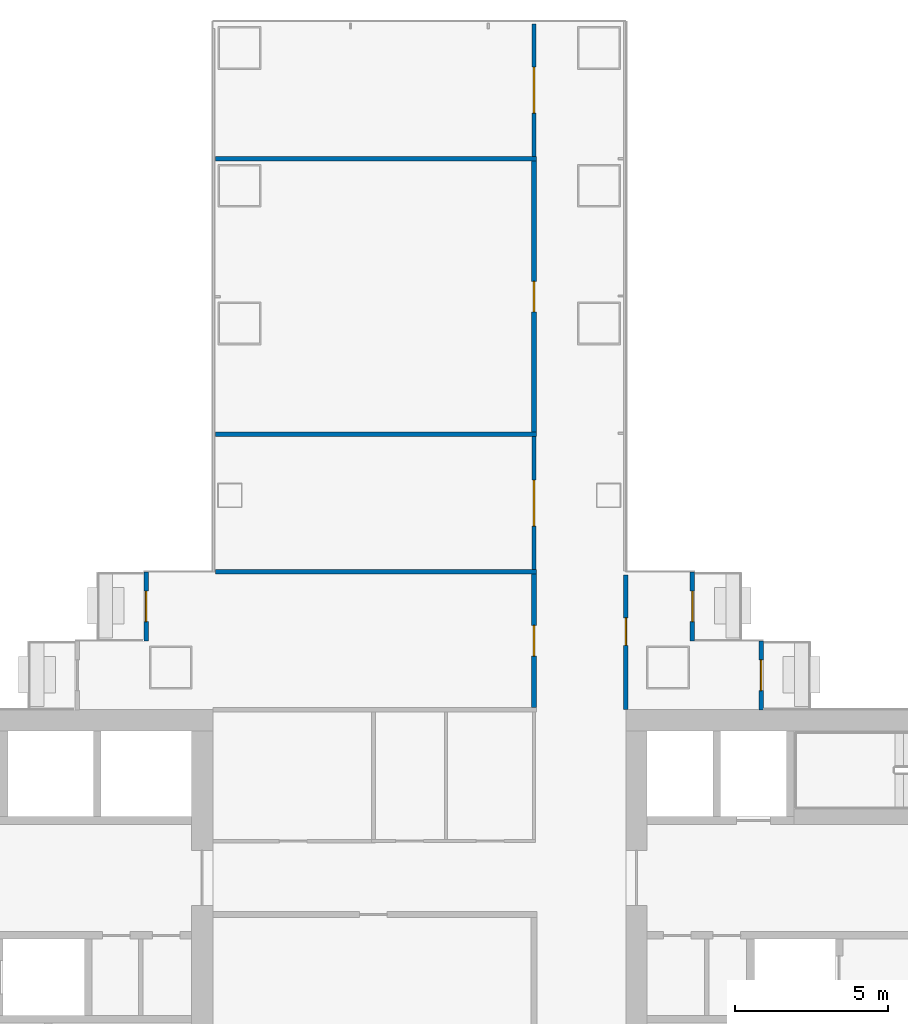
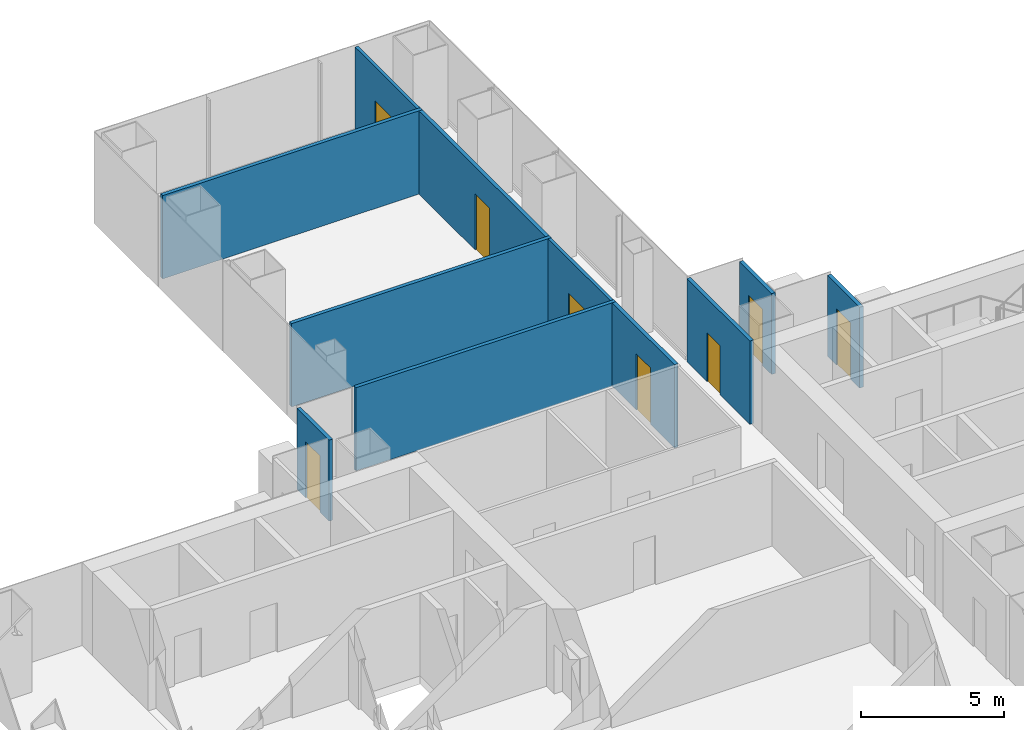
# One storey, part 17 of 21: 11 walls, 8 doors, 8 openings.
"""IFC4 building model written with IfcOpenShell, lengths in metres."""

from ifc_helpers import new_model, si_unit, direction, frame, frame_2d, origin, place, context, subcontext, project, spatial, rectangle, extrude, material, layer, layer_set, type_object, element, fill, save


model = new_model("IFC4")

# Units and contexts
model_context = context("Model", 3, precision=1e-05, world=origin(), true_north=direction((0.0, 1.0)))
body_context = subcontext(model_context, "Body", "Model", "MODEL_VIEW")
ifc_project = project(units=[si_unit("LENGTHUNIT", "METRE"), si_unit("AREAUNIT", "SQUARE_METRE"), si_unit("VOLUMEUNIT", "CUBIC_METRE"), si_unit("PLANEANGLEUNIT", "RADIAN"), si_unit("MASSUNIT", "GRAM", prefix="KILO")], contexts=[model_context])

# Site, building, storey
site_placement = place(None, origin())
site = spatial("IfcSite", under=ifc_project, at=site_placement, CompositionType="ELEMENT")
building_placement = place(site_placement, origin())
building = spatial("IfcBuilding", under=site, at=building_placement, Name="Shamsa Quay Exchange Towers", CompositionType="ELEMENT")
storey_placement = place(building_placement, frame((0.0, 0.0, 49.800048828125)))
storey = spatial("IfcBuildingStorey", under=building, at=storey_placement, Name="L10", CompositionType="ELEMENT", Elevation=49.800048828125)

# Wall, opening, door
ifc_material_1 = material(Name="Aluminium EN AW-6063 T6, black anodised, with black enamelled glass infill", Category="aluminium")
ifc_layer_1 = layer(ifc_material_1, 0.14990234375)
ifc_layer_set_1 = layer_set([ifc_layer_1], Name="BALCONY DOOR BAY WALL 150")
wall_type_1 = type_object("IfcWallType", Name="BALCONY DOOR BAY WALL 150", PredefinedType="SOLIDWALL", material=ifc_layer_set_1)
wall_1_placement = place(storey_placement, frame((24.824951171875, 9.0, 0.0), z_axis=(0.0, 0.0, 1.0), x_axis=(0.0, 1.0, 0.0)))
wall_1 = element("IfcWall", 1, at=wall_1_placement, inside=storey, type_object=wall_type_1, Name="Door bay T2-PKEN L10", PredefinedType="SOLIDWALL", context=body_context, shape_type="SweptSolid", body=[
    extrude(rectangle(XDim=2.25, YDim=0.14990234375, at=frame_2d((1.125, 0.0))), origin(), (0.0, 0.0, 1.0), 3.449951171875),
])
opening_1_placement = place(wall_1_placement, frame((0.625, 0.0, 0.0)))
opening_1 = element("IfcOpeningElement", 2, at=opening_1_placement, cuts=wall_1, Name="Opening XD057", PredefinedType="OPENING", context=body_context, shape_type="SweptSolid", body=[
    extrude(rectangle(XDim=1.0, YDim=2.39990234375, at=frame_2d((0.5, 1.199951171875))), frame((0.0, 0.0849609375, 0.0), z_axis=(0.0, -1.0, 0.0), x_axis=(1.0, 0.0, 0.0)), (0.0, 0.0, 1.0), 0.169921875),
])
ifc_material_2 = material(Name="Aluminium EN AW-6063 T6, black anodised, with laminated glass leaf", Category="aluminium")
door_type_1 = type_object("IfcDoorType", Name="BALCONY DOOR 1000x2400", OperationType="SINGLE_SWING_LEFT", PredefinedType="DOOR", material=ifc_material_2)
door_1_placement = place(opening_1_placement, origin())
door_1 = element("IfcDoor", 3, at=door_1_placement, inside=storey, type_object=door_type_1, Name="Balcony door T2-PKEN L10", OperationType="SINGLE_SWING_RIGHT", OverallHeight=2.39990234375, OverallWidth=1.0, PredefinedType="DOOR", context=body_context, shape_type="SweptSolid", body=[
    extrude(rectangle(XDim=1.0, YDim=2.39990234375, at=frame_2d((0.5, 1.199951171875))), frame((0.0, 0.02490234375, 0.0), z_axis=(0.0, -1.0, 0.0), x_axis=(1.0, 0.0, 0.0)), (0.0, 0.0, 1.0), 0.050048828125),
])
fill(opening_1, door_1)

wall_2_placement = place(storey_placement, frame((42.675048828125, 11.25, 0.0), z_axis=(0.0, 0.0, 1.0), x_axis=(0.0, -1.0, 0.0)))
wall_2 = element("IfcWall", 4, at=wall_2_placement, inside=storey, type_object=wall_type_1, Name="Door bay T2-PKES L10", PredefinedType="SOLIDWALL", context=body_context, shape_type="SweptSolid", body=[
    extrude(rectangle(XDim=2.25, YDim=0.14990234375, at=frame_2d((1.125, 0.0))), origin(), (0.0, 0.0, 1.0), 3.449951171875),
])
opening_2_placement = place(wall_2_placement, frame((0.625, 0.0, 0.0)))
opening_2 = element("IfcOpeningElement", 5, at=opening_2_placement, cuts=wall_2, Name="Opening XD059", PredefinedType="OPENING", context=body_context, shape_type="SweptSolid", body=[
    extrude(rectangle(XDim=1.0, YDim=2.39990234375, at=frame_2d((0.5, 1.199951171875))), frame((0.0, 0.0849609375, 0.0), z_axis=(0.0, -1.0, 0.0), x_axis=(1.0, 0.0, 0.0)), (0.0, 0.0, 1.0), 0.169921875),
])
door_2_placement = place(opening_2_placement, origin())
door_2 = element("IfcDoor", 6, at=door_2_placement, inside=storey, type_object=door_type_1, Name="Balcony door T2-PKES L10", OperationType="SINGLE_SWING_RIGHT", OverallHeight=2.39990234375, OverallWidth=1.0, PredefinedType="DOOR", context=body_context, shape_type="SweptSolid", body=[
    extrude(rectangle(XDim=1.0, YDim=2.39990234375, at=frame_2d((0.5, 1.199951171875))), frame((0.0, 0.02490234375, 0.0), z_axis=(0.0, -1.0, 0.0), x_axis=(1.0, 0.0, 0.0)), (0.0, 0.0, 1.0), 0.050048828125),
])
fill(opening_2, door_2)

wall_3_placement = place(storey_placement, frame((44.925048828125, 9.0, 0.0), z_axis=(0.0, 0.0, 1.0), x_axis=(0.0, -1.0, 0.0)))
wall_3 = element("IfcWall", 7, at=wall_3_placement, inside=storey, type_object=wall_type_1, Name="Door bay T2-PKES L10", PredefinedType="SOLIDWALL", context=body_context, shape_type="SweptSolid", body=[
    extrude(rectangle(XDim=2.257080078125, YDim=0.14990234375, at=frame_2d((1.12841796875, 0.0))), origin(), (0.0, 0.0, 1.0), 3.449951171875),
])
opening_3_placement = place(wall_3_placement, frame((0.625, 0.0, 0.0)))
opening_3 = element("IfcOpeningElement", 8, at=opening_3_placement, cuts=wall_3, Name="Opening XD060", PredefinedType="OPENING", context=body_context, shape_type="SweptSolid", body=[
    extrude(rectangle(XDim=1.0, YDim=2.39990234375, at=frame_2d((0.5, 1.199951171875))), frame((0.0, 0.0849609375, 0.0), z_axis=(0.0, -1.0, 0.0), x_axis=(1.0, 0.0, 0.0)), (0.0, 0.0, 1.0), 0.169921875),
])
door_3_placement = place(opening_3_placement, origin())
door_3 = element("IfcDoor", 9, at=door_3_placement, inside=storey, type_object=door_type_1, Name="Balcony door T2-PKES L10", OperationType="SINGLE_SWING_LEFT", OverallHeight=2.39990234375, OverallWidth=1.0, PredefinedType="DOOR", context=body_context, shape_type="SweptSolid", body=[
    extrude(rectangle(XDim=1.0, YDim=2.39990234375, at=frame_2d((0.5, 1.199951171875))), frame((0.0, 0.02490234375, 0.0), z_axis=(0.0, -1.0, 0.0), x_axis=(1.0, 0.0, 0.0)), (0.0, 0.0, 1.0), 0.050048828125),
])
fill(opening_3, door_3)

ifc_material_3 = material(Name="Laminated fire-resisting glass in a metal frame", Category="glass")
ifc_layer_2 = layer(ifc_material_3, 0.125)
ifc_layer_set_2 = layer_set([ifc_layer_2], Name="Glazed partition 125 mm EI 60")
wall_type_2 = type_object("IfcWallType", Name="Glazed partition 125 mm EI 60", PredefinedType="PARTITIONING", material=ifc_layer_set_2)
wall_4_placement = place(storey_placement, frame((37.5, 24.824951171875, 0.0), z_axis=(0.0, 0.0, 1.0), x_axis=(0.0, 1.0, 0.0)))
wall_4 = element("IfcWall", 10, at=wall_4_placement, inside=storey, type_object=wall_type_2, Name="Partition T2-R04-W05", PredefinedType="PARTITIONING", context=body_context, shape_type="SweptSolid", body=[
    extrude(rectangle(XDim=4.330078125, YDim=0.125, at=frame_2d((2.1650390625, 0.0))), origin(), (0.0, 0.0, 1.0), 3.550048828125),
])
opening_4_placement = place(wall_4_placement, frame((1.425048828125, 0.0, 0.0)))
opening_4 = element("IfcOpeningElement", 11, at=opening_4_placement, cuts=wall_4, Name="Opening T2-R04-D14", PredefinedType="OPENING", context=body_context, shape_type="SweptSolid", body=[
    extrude(rectangle(XDim=1.5, YDim=2.10009765625, at=frame_2d((0.75, 1.050048828125))), frame((0.0, 0.072509765625, 0.0), z_axis=(0.0, -1.0, 0.0), x_axis=(1.0, 0.0, 0.0)), (0.0, 0.0, 1.0), 0.14501953125),
])
ifc_material_4 = material(Name="Timber door leaf in a metal frame", Category="wood")
door_type_2 = type_object("IfcDoorType", Name="Door 1500x2100 FD30S pair", OperationType="NOTDEFINED", PredefinedType="DOOR", material=ifc_material_4)
door_4_placement = place(opening_4_placement, origin())
door_4 = element("IfcDoor", 12, at=door_4_placement, inside=storey, type_object=door_type_2, Name="Door T2-R04-D14", OperationType="DOUBLE_DOOR_SINGLE_SWING", OverallHeight=2.10009765625, OverallWidth=1.5, PredefinedType="DOOR", context=body_context, shape_type="SweptSolid", body=[
    extrude(rectangle(XDim=1.5, YDim=2.10009765625, at=frame_2d((0.75, 1.050048828125))), frame((0.0, 0.02490234375, 0.0), z_axis=(0.0, -1.0, 0.0), x_axis=(1.0, 0.0, 0.0)), (0.0, 0.0, 1.0), 0.050048828125),
])
fill(opening_4, door_4)

wall_5_placement = place(storey_placement, frame((37.5, 11.324951171875, 0.0), z_axis=(0.0, 0.0, 1.0), x_axis=(0.0, 1.0, 0.0)))
wall_5 = element("IfcWall", 13, at=wall_5_placement, inside=storey, type_object=wall_type_2, Name="Partition T2-R04-W06", PredefinedType="PARTITIONING", context=body_context, shape_type="SweptSolid", body=[
    extrude(rectangle(XDim=4.35009765625, YDim=0.125, at=frame_2d((2.175048828125, 0.0))), origin(), (0.0, 0.0, 1.0), 3.550048828125),
])
opening_5_placement = place(wall_5_placement, frame((1.425048828125, 0.0, 0.0)))
opening_5 = element("IfcOpeningElement", 14, at=opening_5_placement, cuts=wall_5, Name="Opening T2-R04-D12", PredefinedType="OPENING", context=body_context, shape_type="SweptSolid", body=[
    extrude(rectangle(XDim=1.5, YDim=2.10009765625, at=frame_2d((0.75, 1.050048828125))), frame((0.0, 0.072509765625, 0.0), z_axis=(0.0, -1.0, 0.0), x_axis=(1.0, 0.0, 0.0)), (0.0, 0.0, 1.0), 0.14501953125),
])
door_5_placement = place(opening_5_placement, origin())
door_5 = element("IfcDoor", 15, at=door_5_placement, inside=storey, type_object=door_type_2, Name="Door T2-R04-D12", OperationType="DOUBLE_DOOR_SINGLE_SWING", OverallHeight=2.10009765625, OverallWidth=1.5, PredefinedType="DOOR", context=body_context, shape_type="SweptSolid", body=[
    extrude(rectangle(XDim=1.5, YDim=2.10009765625, at=frame_2d((0.75, 1.050048828125))), frame((0.0, 0.02490234375, 0.0), z_axis=(0.0, -1.0, 0.0), x_axis=(1.0, 0.0, 0.0)), (0.0, 0.0, 1.0), 0.050048828125),
])
fill(opening_5, door_5)

ifc_material_5 = material(Name="Gypsum board partition on metal studs")
ifc_layer_3 = layer(ifc_material_5, 0.14990234375)
ifc_layer_set_3 = layer_set([ifc_layer_3], Name="Partition 150 mm EI 60")
wall_type_3 = type_object("IfcWallType", Name="Partition 150 mm EI 60", PredefinedType="PARTITIONING", material=ifc_layer_set_3)
wall_6_placement = place(storey_placement, frame((37.5, 15.824951171875, 0.0), z_axis=(0.0, 0.0, 1.0), x_axis=(0.0, 1.0, 0.0)))
wall_6 = element("IfcWall", 16, at=wall_6_placement, inside=storey, type_object=wall_type_3, Name="Partition T2-R04-W01", PredefinedType="PARTITIONING", context=body_context, shape_type="SweptSolid", body=[
    extrude(rectangle(XDim=8.85009765625, YDim=0.14990234375, at=frame_2d((4.425048828125, 0.0))), origin(), (0.0, 0.0, 1.0), 3.550048828125),
])
opening_6_placement = place(wall_6_placement, frame((3.925048828125, 0.0, 0.0)))
opening_6 = element("IfcOpeningElement", 17, at=opening_6_placement, cuts=wall_6, Name="Opening T2-R04-D13", PredefinedType="OPENING", context=body_context, shape_type="SweptSolid", body=[
    extrude(rectangle(XDim=1.0, YDim=2.39990234375, at=frame_2d((0.5, 1.199951171875))), frame((0.0, 0.0849609375, 0.0), z_axis=(0.0, -1.0, 0.0), x_axis=(1.0, 0.0, 0.0)), (0.0, 0.0, 1.0), 0.169921875),
])
door_type_3 = type_object("IfcDoorType", Name="Door 1000x2400 FD30S", OperationType="NOTDEFINED", PredefinedType="DOOR", material=ifc_material_4)
door_6_placement = place(opening_6_placement, origin())
door_6 = element("IfcDoor", 18, at=door_6_placement, inside=storey, type_object=door_type_3, Name="Door T2-R04-D13", OperationType="SINGLE_SWING_RIGHT", OverallHeight=2.39990234375, OverallWidth=1.0, PredefinedType="DOOR", context=body_context, shape_type="SweptSolid", body=[
    extrude(rectangle(XDim=1.0, YDim=2.39990234375, at=frame_2d((0.5, 1.199951171875))), frame((0.0, 0.02490234375, 0.0), z_axis=(0.0, -1.0, 0.0), x_axis=(1.0, 0.0, 0.0)), (0.0, 0.0, 1.0), 0.050048828125),
])
fill(opening_6, door_6)

wall_7_placement = place(storey_placement, frame((37.5, 6.824951171875, 0.0), z_axis=(0.0, 0.0, 1.0), x_axis=(0.0, 1.0, 0.0)))
wall_7 = element("IfcWall", 19, at=wall_7_placement, inside=storey, type_object=wall_type_3, Name="Partition T2-R04-W02", PredefinedType="PARTITIONING", context=body_context, shape_type="SweptSolid", body=[
    extrude(rectangle(XDim=4.35009765625, YDim=0.14990234375, at=frame_2d((2.175048828125, 0.0))), origin(), (0.0, 0.0, 1.0), 3.550048828125),
])
opening_7_placement = place(wall_7_placement, frame((1.675048828125, 0.0, 0.0)))
opening_7 = element("IfcOpeningElement", 20, at=opening_7_placement, cuts=wall_7, Name="Opening T2-R04-D11", PredefinedType="OPENING", context=body_context, shape_type="SweptSolid", body=[
    extrude(rectangle(XDim=1.0, YDim=2.39990234375, at=frame_2d((0.5, 1.199951171875))), frame((0.0, 0.0849609375, 0.0), z_axis=(0.0, -1.0, 0.0), x_axis=(1.0, 0.0, 0.0)), (0.0, 0.0, 1.0), 0.169921875),
])
door_7_placement = place(opening_7_placement, origin())
door_7 = element("IfcDoor", 21, at=door_7_placement, inside=storey, type_object=door_type_3, Name="Door T2-R04-D11", OperationType="SINGLE_SWING_RIGHT", OverallHeight=2.39990234375, OverallWidth=1.0, PredefinedType="DOOR", context=body_context, shape_type="SweptSolid", body=[
    extrude(rectangle(XDim=1.0, YDim=2.39990234375, at=frame_2d((0.5, 1.199951171875))), frame((0.0, 0.02490234375, 0.0), z_axis=(0.0, -1.0, 0.0), x_axis=(1.0, 0.0, 0.0)), (0.0, 0.0, 1.0), 0.050048828125),
])
fill(opening_7, door_7)

wall_8_placement = place(storey_placement, frame((40.5, 11.155029296875, 0.0), z_axis=(0.0, 0.0, 1.0), x_axis=(0.0, -1.0, 0.0)))
wall_8 = element("IfcWall", 22, at=wall_8_placement, inside=storey, type_object=wall_type_3, Name="Partition T2-R04-W14", PredefinedType="PARTITIONING", context=body_context, shape_type="SweptSolid", body=[
    extrude(rectangle(XDim=4.405029296875, YDim=0.14990234375, at=frame_2d((2.20263671875, 0.0))), origin(), (0.0, 0.0, 1.0), 3.550048828125),
])
opening_8_placement = place(wall_8_placement, frame((1.405029296875, 0.0, 0.0)))
opening_8 = element("IfcOpeningElement", 23, at=opening_8_placement, cuts=wall_8, Name="Opening T2-R04-D04", PredefinedType="OPENING", context=body_context, shape_type="SweptSolid", body=[
    extrude(rectangle(XDim=0.89990234375, YDim=2.10009765625, at=frame_2d((0.449951171875, 1.050048828125))), frame((0.0, 0.0849609375, 0.0), z_axis=(0.0, -1.0, 0.0), x_axis=(1.0, 0.0, 0.0)), (0.0, 0.0, 1.0), 0.169921875),
])
door_type_4 = type_object("IfcDoorType", Name="Door 900x2100 FD30S", OperationType="NOTDEFINED", PredefinedType="DOOR", material=ifc_material_4)
door_8_placement = place(opening_8_placement, origin())
door_8 = element("IfcDoor", 24, at=door_8_placement, inside=storey, type_object=door_type_4, Name="Door T2-R04-D04", OperationType="SINGLE_SWING_LEFT", OverallHeight=2.10009765625, OverallWidth=0.89990234375, PredefinedType="DOOR", context=body_context, shape_type="SweptSolid", body=[
    extrude(rectangle(XDim=0.89990234375, YDim=2.10009765625, at=frame_2d((0.449951171875, 1.050048828125))), frame((0.0, 0.02490234375, 0.0), z_axis=(0.0, -1.0, 0.0), x_axis=(1.0, 0.0, 0.0)), (0.0, 0.0, 1.0), 0.050048828125),
])
fill(opening_8, door_8)

# Walls
for number, where, z_axis, x_axis, name in (
    (25, (37.574951171875, 11.25, 0.0), (0.0, 0.0, 1.0), (-1.0, 0.0, 0.0), "Partition T2-R04-W17"),
    (26, (37.574951171875, 15.75, 0.0), (0.0, 0.0, 1.0), (-1.0, 0.0, 0.0), "Partition T2-R04-W19"),
    (27, (37.574951171875, 24.75, 0.0), (0.0, 0.0, 1.0), (-1.0, 0.0, 0.0), "Partition T2-R04-W20"),
):
    element("IfcWall", number, at=place(storey_placement, frame(where, z_axis=z_axis, x_axis=x_axis)), inside=storey, type_object=wall_type_3, Name=name, PredefinedType="PARTITIONING", context=body_context, shape_type="SweptSolid", body=[
        extrude(rectangle(XDim=10.47998046875, YDim=0.14990234375, at=frame_2d((5.239990234375, 0.0))), origin(), (0.0, 0.0, 1.0), 3.550048828125),
    ])

save(model, "model.ifc")
